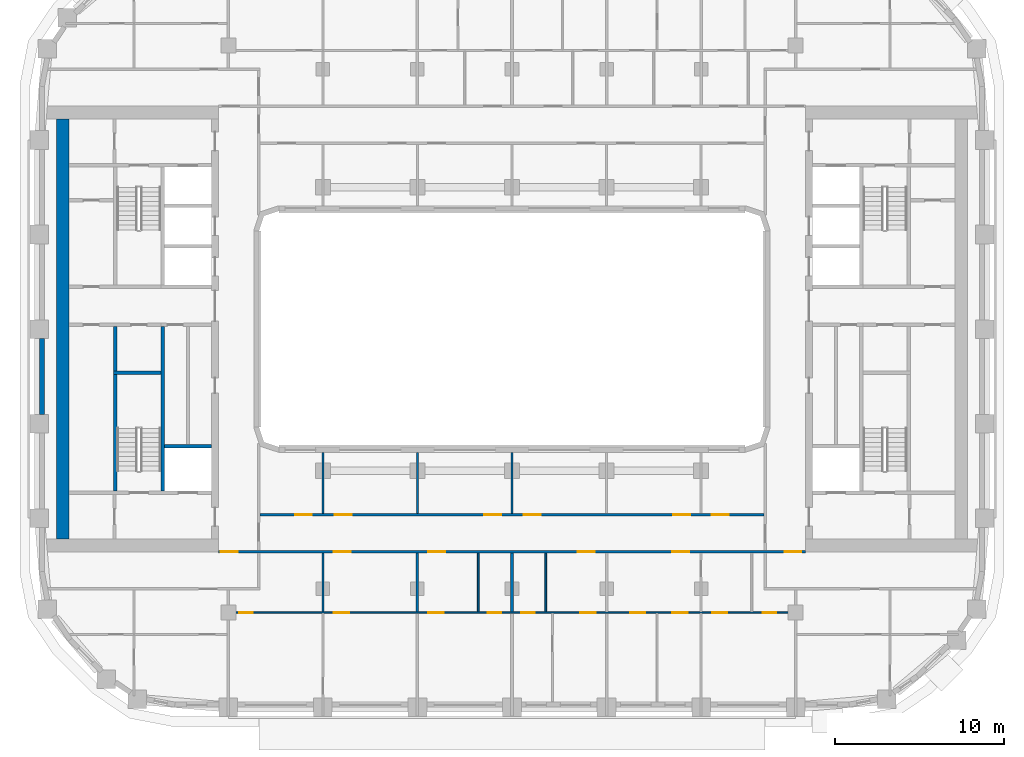
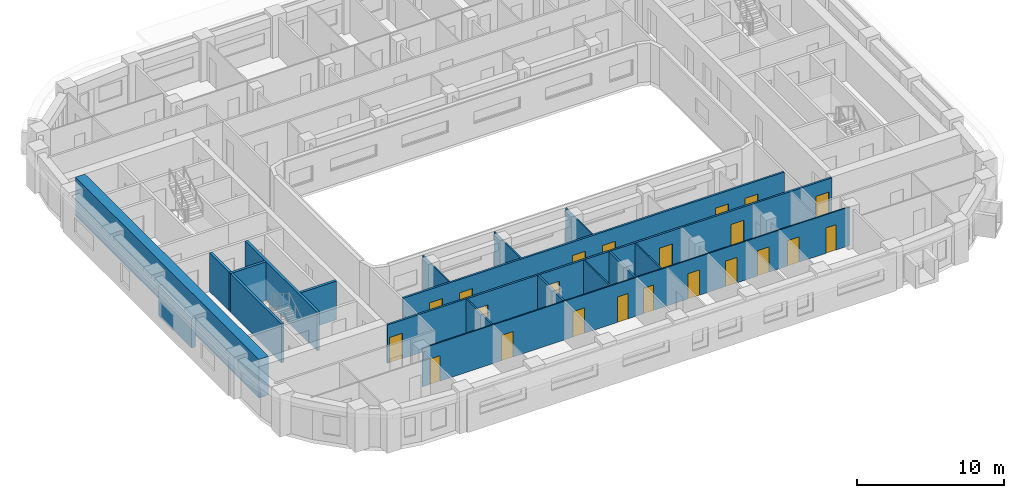
# One storey, part 3 of 22: 22 doors, 18 walls, 22 openings.
"""IFC4 building model written with IfcOpenShell, lengths in metres."""

import ifcopenshell
import ifcopenshell.guid

model = None  # the IFC model being written
_history = None  # IfcOwnerHistory: only IFC2X3 demands one
_inside = {}  # id of a spatial element -> (the spatial element, [elements in it])
_under = {}  # id of a project, library or spatial element -> (it, [spatial elements below it])
_declared = {}  # id of a project -> (the project, [libraries it declares])
_typed = {}  # id of a type object -> (the type object, [elements of that type])
_made_of = {}  # id of a material, layer set ... -> (it, [elements and type objects made of it])


def new_model(schema):
    """Start an empty IFC model of exactly this schema.

    Asked for "IFC4X3", IfcOpenShell would pick the latest addendum, in which some entities
    have other attributes; the version numbers below select the first issue.
    IFC2X3 requires an IfcOwnerHistory on every rooted entity: one is made here for all.
    """
    global model, _history
    if schema == "IFC4X3":
        model = ifcopenshell.file(schema_version=(4, 3, 0, 0))
    else:
        model = ifcopenshell.file(schema=schema)
    _inside.clear()
    _under.clear()
    _declared.clear()
    _typed.clear()
    _made_of.clear()
    _history = None
    if model.schema == "IFC2X3":
        org = make("IfcOrganization", Name="unknown")
        user = make(
            "IfcPersonAndOrganization",
            ThePerson=make("IfcPerson", FamilyName="unknown"),
            TheOrganization=org,
        )
        app = make(
            "IfcApplication",
            ApplicationDeveloper=org,
            Version="unknown",
            ApplicationFullName="unknown",
            ApplicationIdentifier="unknown",
        )
        _history = make(
            "IfcOwnerHistory",
            OwningUser=user,
            OwningApplication=app,
            ChangeAction="ADDED",
            CreationDate=0,
        )
    return model


def make(cls, **values):
    """One entity of the class cls with the attributes given. An attribute that is None is left unset."""
    return model.create_entity(
        cls, **{name: value for name, value in values.items() if value is not None}
    )


def rooted(cls, **values):
    """An entity with a GlobalId (a new one), such as an element, a storey or a relation."""
    return make(cls, GlobalId=ifcopenshell.guid.new(), OwnerHistory=_history, **values)


def si_unit(unit_type, name, prefix=None):
    """IfcSIUnit, for example si_unit("LENGTHUNIT", "METRE", prefix="MILLI")."""
    return make("IfcSIUnit", UnitType=unit_type, Prefix=prefix, Name=name)


def assignment(units):
    """IfcUnitAssignment: the units of a project."""
    return None if units is None else make("IfcUnitAssignment", Units=units)


def point(xyz):
    """IfcCartesianPoint."""
    return None if xyz is None else make("IfcCartesianPoint", Coordinates=xyz)


def direction(xyz):
    """IfcDirection."""
    return None if xyz is None else make("IfcDirection", DirectionRatios=xyz)


def frame(location, z_axis=None, x_axis=None):
    """IfcAxis2Placement3D, a coordinate frame: its origin and axes. An axis left out is left unset."""
    return make(
        "IfcAxis2Placement3D",
        Location=point(location),
        Axis=direction(z_axis),
        RefDirection=direction(x_axis),
    )


def frame_2d(location, x_axis=None):
    """IfcAxis2Placement2D, a coordinate frame in the plane: its origin and x axis."""
    return make(
        "IfcAxis2Placement2D", Location=point(location), RefDirection=direction(x_axis)
    )


def origin():
    """The frame at (0, 0, 0) with its axes left unset."""
    return frame((0.0, 0.0, 0.0))


def place(relative_to, where):
    """IfcLocalPlacement: puts the frame where relative to a parent placement (None: the world)."""
    return make(
        "IfcLocalPlacement", PlacementRelTo=relative_to, RelativePlacement=where
    )


def context(
    kind, dimensions, precision=None, world=None, true_north=None, identifier=None
):
    """IfcGeometricRepresentationContext, for example the 3D "Model" context."""
    return make(
        "IfcGeometricRepresentationContext",
        ContextIdentifier=identifier,
        ContextType=kind,
        CoordinateSpaceDimension=dimensions,
        Precision=precision,
        WorldCoordinateSystem=world,
        TrueNorth=true_north,
    )


def subcontext(parent, identifier, kind, view, scale=None):
    """IfcGeometricRepresentationSubContext, for example "Body" below "Model"."""
    return make(
        "IfcGeometricRepresentationSubContext",
        ContextIdentifier=identifier,
        ContextType=kind,
        ParentContext=parent,
        TargetScale=scale,
        TargetView=view,
    )


def project(units=None, contexts=None):
    """IfcProject with its units and contexts."""
    return rooted(
        "IfcProject",
        Name="project",
        RepresentationContexts=contexts,
        UnitsInContext=assignment(units),
    )


def spatial(cls, under=None, at=None, **own):
    """A site, building, storey or space (cls), placed at a placement, below another one or the project."""
    s = rooted(cls, ObjectPlacement=at, **own)
    if under is not None:
        _under.setdefault(under.id(), (under, []))[1].append(s)
    return s


def profile(cls, at=None, kind="AREA", **sizes):
    """A parametric profile (cls). Its sizes go by their IFC names, for example OverallWidth=200.0."""
    return make(cls, ProfileType=kind, Position=at, **sizes)


def rectangle(**sizes):
    """IfcRectangleProfileDef."""
    return profile("IfcRectangleProfileDef", **sizes)


def extrude(swept, where, along, depth):
    """IfcExtrudedAreaSolid: the profile swept, set in the frame where, extruded along a direction by depth."""
    return make(
        "IfcExtrudedAreaSolid",
        SweptArea=swept,
        Position=where,
        ExtrudedDirection=direction(along),
        Depth=depth,
    )


def shape(context_of_items, identifier, shape_type, items):
    """IfcShapeRepresentation: the items that make up one representation, for example the "Body"."""
    return make(
        "IfcShapeRepresentation",
        ContextOfItems=context_of_items,
        RepresentationIdentifier=identifier,
        RepresentationType=shape_type,
        Items=items,
    )


def material(Name=None, Category=None):
    """IfcMaterial."""
    return make("IfcMaterial", Name=Name, Category=Category)


def layer(
    of_material, thickness, ventilated=None, Name=None, Category=None, Priority=None
):
    """IfcMaterialLayer: one layer of a wall or slab, of a material (None: an air gap)."""
    return make(
        "IfcMaterialLayer",
        Material=of_material,
        LayerThickness=thickness,
        IsVentilated=ventilated,
        Name=Name,
        Category=Category,
        Priority=Priority,
    )


def layer_set(layers, Name=None):
    """IfcMaterialLayerSet."""
    return make("IfcMaterialLayerSet", MaterialLayers=layers, LayerSetName=Name)


def made_of(thing, what):
    """Note that an element or type object is made of a material, layer set ...; save() writes the relation."""
    if what is not None:
        _made_of.setdefault(what.id(), (what, []))[1].append(thing)
    return thing


def type_object(cls, material=None, **own):
    """A type object (cls), such as IfcWallType, which elements share."""
    return made_of(rooted(cls, **own), material)


def element(
    cls,
    number,
    at=None,
    inside=None,
    cuts=None,
    type_object=None,
    material=None,
    context=None,
    identifier="Body",
    shape_type=None,
    held_by="IfcProductDefinitionShape",
    body=None,
    shapes=None,
    **own,
):
    """One element of the class cls, such as IfcWall. Its Tag is "e" and its number.

    at: its placement. inside: the storey or other place that contains it. cuts: it is an
    opening in that element (IfcRelVoidsElement). A single representation is given by context,
    identifier, shape_type and body (its items); several are given by shapes. held_by: the class
    of the entity that holds the representations. save() writes the other relations.
    """
    e = rooted(cls, Tag="e%d" % number, ObjectPlacement=at, **own)
    if body is not None:
        shapes = [shape(context, identifier, shape_type, body)]
    if shapes is not None:
        e.Representation = make(held_by, Representations=shapes)
    if inside is not None:
        _inside.setdefault(inside.id(), (inside, []))[1].append(e)
    if cuts is not None:
        rooted(
            "IfcRelVoidsElement", RelatingBuildingElement=cuts, RelatedOpeningElement=e
        )
    if type_object is not None:
        _typed.setdefault(type_object.id(), (type_object, []))[1].append(e)
    return made_of(e, material)


def fill(opening, filler):
    """IfcRelFillsElement: the door or window that sits in an opening."""
    return rooted(
        "IfcRelFillsElement",
        RelatingOpeningElement=opening,
        RelatedBuildingElement=filler,
    )


def aggregate(whole, parts):
    """IfcRelAggregates: a whole, such as a stair, and the parts it consists of."""
    return rooted("IfcRelAggregates", RelatingObject=whole, RelatedObjects=parts)


def save(model, path):
    """Write the relations noted so far, then the file.

    IfcRelAggregates (storeys below a building ...), IfcRelContainedInSpatialStructure (elements
    in a storey), IfcRelDefinesByType, IfcRelAssociatesMaterial and IfcRelDeclares: one each for
    every whole, place, type object, material and project.
    """
    for whole, parts in _under.values():
        aggregate(whole, parts)
    for where, things in _inside.values():
        rooted(
            "IfcRelContainedInSpatialStructure",
            RelatedElements=things,
            RelatingStructure=where,
        )
    for kind, things in _typed.values():
        rooted("IfcRelDefinesByType", RelatedObjects=things, RelatingType=kind)
    for what, things in _made_of.values():
        rooted("IfcRelAssociatesMaterial", RelatedObjects=things, RelatingMaterial=what)
    for by, libraries in _declared.values():
        rooted("IfcRelDeclares", RelatingContext=by, RelatedDefinitions=libraries)
    model.write(path)


model = new_model("IFC4")

# Units and contexts
model_context = context("Model", 3, precision=1e-05, world=origin(), true_north=direction((0.0, 1.0)))
body_context = subcontext(model_context, "Body", "Model", "MODEL_VIEW")
ifc_project = project(units=[si_unit("LENGTHUNIT", "METRE"), si_unit("AREAUNIT", "SQUARE_METRE"), si_unit("VOLUMEUNIT", "CUBIC_METRE"), si_unit("PLANEANGLEUNIT", "RADIAN"), si_unit("MASSUNIT", "GRAM", prefix="KILO")], contexts=[model_context])

# Site, building, storey
site_placement = place(None, origin())
site = spatial("IfcSite", under=ifc_project, at=site_placement, CompositionType="ELEMENT")
building_placement = place(site_placement, origin())
building = spatial("IfcBuilding", under=site, at=building_placement, Name="Kiln Ring Residences", CompositionType="ELEMENT")
storey_placement = place(building_placement, frame((0.0, 0.0, 139.60009765625)))
storey = spatial("IfcBuildingStorey", under=building, at=storey_placement, Name="L35", CompositionType="ELEMENT", Elevation=139.60009765625)

# Walls
ifc_material_1 = material(Name="Gypsum board on steel studs", Category="steel")
ifc_layer_1 = layer(ifc_material_1, 0.199951171875)
ifc_layer_set_1 = layer_set([ifc_layer_1], Name="CORE-PARTITION-200")
wall_type_1 = type_object("IfcWallType", Name="CORE-PARTITION-200", PredefinedType="PARTITIONING", material=ifc_layer_set_1)
wall_1_placement = place(storey_placement, frame((-23.5, -2.5, 0.0), z_axis=(0.0, 0.0, 1.0), x_axis=(0.0, 1.0, 0.0)))
element("IfcWall", 1, at=wall_1_placement, inside=storey, type_object=wall_type_1, Name="Core partition west L35 1", PredefinedType="PARTITIONING", context=body_context, shape_type="SweptSolid", body=[
    extrude(rectangle(XDim=2.64990234375, YDim=0.199951171875, at=frame_2d((1.324951171875, 0.0))), origin(), (0.0, 0.0, 1.0), 3.199951171875),
])
ifc_material_2 = material(Name="Gypsum shaft wall system")
ifc_layer_2 = layer(ifc_material_2, 0.199951171875)
ifc_layer_set_2 = layer_set([ifc_layer_2], Name="CORE-SHAFT-WALL-200")
wall_type_2 = type_object("IfcWallType", Name="CORE-SHAFT-WALL-200", PredefinedType="PARTITIONING", material=ifc_layer_set_2)
wall_2_placement = place(storey_placement, frame((-17.800048828125, -6.949951171875, 0.0), z_axis=(0.0, 0.0, 1.0), x_axis=(-1.0, 0.0, 0.0)))
element("IfcWall", 2, at=wall_2_placement, inside=storey, type_object=wall_type_2, Name="Core partition west L35 7", PredefinedType="PARTITIONING", context=body_context, shape_type="SweptSolid", body=[
    extrude(rectangle(XDim=2.800048828125, YDim=0.199951171875, at=frame_2d((1.39990234375, 0.0))), origin(), (0.0, 0.0, 1.0), 3.199951171875),
])
ifc_material_3 = material(Name="Concrete C40/50", Category="concrete")
ifc_layer_3 = layer(ifc_material_3, 0.199951171875)
ifc_layer_set_3 = layer_set([ifc_layer_3], Name="CORE-WALL-RC200")
wall_type_3 = type_object("IfcWallType", Name="CORE-WALL-RC200", PredefinedType="SHEAR", material=ifc_layer_set_3)
wall_3_placement = place(storey_placement, frame((-20.699951171875, -9.60009765625, 0.0), z_axis=(0.0, 0.0, 1.0), x_axis=(0.0, 1.0, 0.0)))
element("IfcWall", 3, at=wall_3_placement, inside=storey, type_object=wall_type_3, Name="Core wall west L35 2", PredefinedType="SHEAR", context=body_context, shape_type="SweptSolid", body=[
    extrude(rectangle(XDim=9.75, YDim=0.199951171875, at=frame_2d((4.875, 0.0))), origin(), (0.0, 0.0, 1.0), 3.199951171875),
])
wall_4_placement = place(storey_placement, frame((-23.5, -9.60009765625, 0.0), z_axis=(0.0, 0.0, 1.0), x_axis=(0.0, 1.0, 0.0)))
element("IfcWall", 4, at=wall_4_placement, inside=storey, type_object=wall_type_3, Name="Core wall west L35 11", PredefinedType="SHEAR", context=body_context, shape_type="SweptSolid", body=[
    extrude(rectangle(XDim=6.900146484375, YDim=0.199951171875, at=frame_2d((3.4501953125, 0.0))), origin(), (0.0, 0.0, 1.0), 3.199951171875),
])
wall_5_placement = place(storey_placement, frame((-20.800048828125, -2.60009765625, 0.0), z_axis=(0.0, 0.0, 1.0), x_axis=(-1.0, 0.0, 0.0)))
element("IfcWall", 5, at=wall_5_placement, inside=storey, type_object=wall_type_3, Name="Core wall west L35 12", PredefinedType="SHEAR", context=body_context, shape_type="SweptSolid", body=[
    extrude(rectangle(XDim=2.800048828125, YDim=0.199951171875, at=frame_2d((1.39990234375, 0.0))), origin(), (0.0, 0.0, 1.0), 3.199951171875),
])
ifc_material_4 = material(Name="Concrete C60/75", Category="concrete")
ifc_layer_4 = layer(ifc_material_4, 0.75)
ifc_layer_set_4 = layer_set([ifc_layer_4], Name="CORE-WALL-RC750")
wall_type_4 = type_object("IfcWallType", Name="CORE-WALL-RC750", PredefinedType="SHEAR", material=ifc_layer_set_4)
wall_6_placement = place(storey_placement, frame((-26.625, -12.449951171875, 0.0), z_axis=(0.0, 0.0, 1.0), x_axis=(0.0, 1.0, 0.0)))
element("IfcWall", 6, at=wall_6_placement, inside=storey, type_object=wall_type_4, Name="Core wall west L35 7", PredefinedType="SHEAR", context=body_context, shape_type="SweptSolid", body=[
    extrude(rectangle(XDim=24.89990234375, YDim=0.75, at=frame_2d((12.449951171875, 0.0))), origin(), (0.0, 0.0, 1.0), 3.199951171875),
])
ifc_material_5 = material(Name="Brick masonry, dark clay brick", Category="masonry")
ifc_layer_5 = layer(ifc_material_5, 0.300048828125)
ifc_layer_set_5 = layer_set([ifc_layer_5], Name="EW-300 BRICK WALL")
wall_type_5 = type_object("IfcWallType", Name="EW-300 BRICK WALL", PredefinedType="SOLIDWALL", material=ifc_layer_set_5)
wall_7_placement = place(storey_placement, frame((-27.85009765625, -0.550048828125, 0.0), z_axis=(0.0, 0.0, 1.0), x_axis=(0.0, -1.0, 0.0)))
element("IfcWall", 7, at=wall_7_placement, inside=storey, type_object=wall_type_5, Name="Facade wall L35 44", PredefinedType="SOLIDWALL", context=body_context, shape_type="SweptSolid", body=[
    extrude(rectangle(XDim=4.5, YDim=0.300048828125, at=frame_2d((2.25, 0.0))), origin(), (0.0, 0.0, 1.0), 2.449951171875),
])

# Wall, openings, doors
ifc_material_6 = material(Name="Gypsum board on steel studs", Category="steel")
ifc_layer_6 = layer(ifc_material_6, 0.10009765625)
ifc_layer_set_6 = layer_set([ifc_layer_6], Name="PARTITION-100")
wall_type_6 = type_object("IfcWallType", Name="PARTITION-100", PredefinedType="PARTITIONING", material=ifc_layer_set_6)
wall_8_placement = place(storey_placement, frame((-16.72509765625, -16.800048828125, 0.0), z_axis=(0.0, 0.0, 1.0), x_axis=(1.0, 0.0, 0.0)))
wall_8 = element("IfcWall", 8, at=wall_8_placement, inside=storey, type_object=wall_type_6, Name="Partition 002", PredefinedType="PARTITIONING", context=body_context, shape_type="SweptSolid", body=[
    extrude(rectangle(XDim=33.4501953125, YDim=0.10009765625, at=frame_2d((16.72509765625, 0.0))), origin(), (0.0, 0.0, 1.0), 3.199951171875),
])
opening_1_placement = place(wall_8_placement, frame((0.574951171875, 0.0, 0.0)))
opening_1 = element("IfcOpeningElement", 9, at=opening_1_placement, cuts=wall_8, Name="Opening L35-D050", PredefinedType="OPENING", context=body_context, shape_type="SweptSolid", body=[
    extrude(rectangle(XDim=0.800048828125, YDim=2.10009765625, at=frame_2d((0.39990234375, 1.050048828125))), frame((0.0, 0.06005859375, 0.0), z_axis=(0.0, -1.0, 0.0), x_axis=(1.0, 0.0, 0.0)), (0.0, 0.0, 1.0), 0.1201171875),
])
opening_2_placement = place(wall_8_placement, frame((6.175048828125, 0.0, 0.0)))
opening_2 = element("IfcOpeningElement", 10, at=opening_2_placement, cuts=wall_8, Name="Opening L35-D051", PredefinedType="OPENING", context=body_context, shape_type="SweptSolid", body=[
    extrude(rectangle(XDim=0.89990234375, YDim=2.10009765625, at=frame_2d((0.449951171875, 1.050048828125))), frame((0.0, 0.06005859375, 0.0), z_axis=(0.0, -1.0, 0.0), x_axis=(1.0, 0.0, 0.0)), (0.0, 0.0, 1.0), 0.1201171875),
])
opening_3_placement = place(wall_8_placement, frame((15.27490234375, 0.0, 0.0)))
opening_3 = element("IfcOpeningElement", 11, at=opening_3_placement, cuts=wall_8, Name="Opening L35-D054", PredefinedType="OPENING", context=body_context, shape_type="SweptSolid", body=[
    extrude(rectangle(XDim=0.800048828125, YDim=2.10009765625, at=frame_2d((0.39990234375, 1.050048828125))), frame((0.0, 0.06005859375, 0.0), z_axis=(0.0, -1.0, 0.0), x_axis=(1.0, 0.0, 0.0)), (0.0, 0.0, 1.0), 0.1201171875),
])
opening_4_placement = place(wall_8_placement, frame((11.77490234375, 0.0, 0.0)))
opening_4 = element("IfcOpeningElement", 12, at=opening_4_placement, cuts=wall_8, Name="Opening L35-D055", PredefinedType="OPENING", context=body_context, shape_type="SweptSolid", body=[
    extrude(rectangle(XDim=0.89990234375, YDim=2.10009765625, at=frame_2d((0.449951171875, 1.050048828125))), frame((0.0, 0.06005859375, 0.0), z_axis=(0.0, -1.0, 0.0), x_axis=(1.0, 0.0, 0.0)), (0.0, 0.0, 1.0), 0.1201171875),
])
opening_5_placement = place(wall_8_placement, frame((17.27490234375, 0.0, 0.0)))
opening_5 = element("IfcOpeningElement", 13, at=opening_5_placement, cuts=wall_8, Name="Opening L35-D057", PredefinedType="OPENING", context=body_context, shape_type="SweptSolid", body=[
    extrude(rectangle(XDim=0.800048828125, YDim=2.10009765625, at=frame_2d((0.39990234375, 1.050048828125))), frame((0.0, 0.06005859375, 0.0), z_axis=(0.0, -1.0, 0.0), x_axis=(1.0, 0.0, 0.0)), (0.0, 0.0, 1.0), 0.1201171875),
])
opening_6_placement = place(wall_8_placement, frame((20.77490234375, 0.0, 0.0)))
opening_6 = element("IfcOpeningElement", 14, at=opening_6_placement, cuts=wall_8, Name="Opening L35-D058", PredefinedType="OPENING", context=body_context, shape_type="SweptSolid", body=[
    extrude(rectangle(XDim=0.89990234375, YDim=2.10009765625, at=frame_2d((0.449951171875, 1.050048828125))), frame((0.0, 0.06005859375, 0.0), z_axis=(0.0, -1.0, 0.0), x_axis=(1.0, 0.0, 0.0)), (0.0, 0.0, 1.0), 0.1201171875),
])
opening_7_placement = place(wall_8_placement, frame((31.574951171875, 0.0, 0.0)))
opening_7 = element("IfcOpeningElement", 15, at=opening_7_placement, cuts=wall_8, Name="Opening L35-D062", PredefinedType="OPENING", context=body_context, shape_type="SweptSolid", body=[
    extrude(rectangle(XDim=0.800048828125, YDim=2.10009765625, at=frame_2d((0.39990234375, 1.050048828125))), frame((0.0, 0.06005859375, 0.0), z_axis=(0.0, -1.0, 0.0), x_axis=(1.0, 0.0, 0.0)), (0.0, 0.0, 1.0), 0.1201171875),
])
opening_8_placement = place(wall_8_placement, frame((28.574951171875, 0.0, 0.0)))
opening_8 = element("IfcOpeningElement", 16, at=opening_8_placement, cuts=wall_8, Name="Opening L35-D063", PredefinedType="OPENING", context=body_context, shape_type="SweptSolid", body=[
    extrude(rectangle(XDim=0.89990234375, YDim=2.10009765625, at=frame_2d((0.449951171875, 1.050048828125))), frame((0.0, 0.06005859375, 0.0), z_axis=(0.0, -1.0, 0.0), x_axis=(1.0, 0.0, 0.0)), (0.0, 0.0, 1.0), 0.1201171875),
])
opening_9_placement = place(wall_8_placement, frame((23.72509765625, 0.0, 0.0)))
opening_9 = element("IfcOpeningElement", 17, at=opening_9_placement, cuts=wall_8, Name="Opening L35-D064", PredefinedType="OPENING", context=body_context, shape_type="SweptSolid", body=[
    extrude(rectangle(XDim=0.89990234375, YDim=2.10009765625, at=frame_2d((0.449951171875, 1.050048828125))), frame((0.0, 0.06005859375, 0.0), z_axis=(0.0, -1.0, 0.0), x_axis=(1.0, 0.0, 0.0)), (0.0, 0.0, 1.0), 0.1201171875),
])
opening_10_placement = place(wall_8_placement, frame((26.22509765625, 0.0, 0.0)))
opening_10 = element("IfcOpeningElement", 18, at=opening_10_placement, cuts=wall_8, Name="Opening L35-D065", PredefinedType="OPENING", context=body_context, shape_type="SweptSolid", body=[
    extrude(rectangle(XDim=0.89990234375, YDim=2.10009765625, at=frame_2d((0.449951171875, 1.050048828125))), frame((0.0, 0.06005859375, 0.0), z_axis=(0.0, -1.0, 0.0), x_axis=(1.0, 0.0, 0.0)), (0.0, 0.0, 1.0), 0.1201171875),
])
ifc_material_7 = material(Name="Timber door leaf", Category="wood")
door_type_1 = type_object("IfcDoorType", Name="FLAT-DOOR-800-PL", OperationType="SINGLE_SWING_LEFT", PredefinedType="DOOR", material=ifc_material_7)
door_1_placement = place(opening_1_placement, origin())
door_1 = element("IfcDoor", 19, at=door_1_placement, inside=storey, type_object=door_type_1, Name="Door L35-D050", OperationType="SINGLE_SWING_RIGHT", OverallHeight=2.10009765625, OverallWidth=0.800048828125, PredefinedType="DOOR", context=body_context, shape_type="SweptSolid", body=[
    extrude(rectangle(XDim=0.800048828125, YDim=2.10009765625, at=frame_2d((0.39990234375, 1.050048828125))), frame((0.0, 0.02490234375, 0.0), z_axis=(0.0, -1.0, 0.0), x_axis=(1.0, 0.0, 0.0)), (0.0, 0.0, 1.0), 0.050048828125),
])
fill(opening_1, door_1)
door_2_placement = place(opening_3_placement, origin())
door_2 = element("IfcDoor", 20, at=door_2_placement, inside=storey, type_object=door_type_1, Name="Door L35-D054", OperationType="SINGLE_SWING_RIGHT", OverallHeight=2.10009765625, OverallWidth=0.800048828125, PredefinedType="DOOR", context=body_context, shape_type="SweptSolid", body=[
    extrude(rectangle(XDim=0.800048828125, YDim=2.10009765625, at=frame_2d((0.39990234375, 1.050048828125))), frame((0.0, 0.02490234375, 0.0), z_axis=(0.0, -1.0, 0.0), x_axis=(1.0, 0.0, 0.0)), (0.0, 0.0, 1.0), 0.050048828125),
])
fill(opening_3, door_2)
door_3_placement = place(opening_5_placement, origin())
door_3 = element("IfcDoor", 21, at=door_3_placement, inside=storey, type_object=door_type_1, Name="Door L35-D057", OperationType="SINGLE_SWING_LEFT", OverallHeight=2.10009765625, OverallWidth=0.800048828125, PredefinedType="DOOR", context=body_context, shape_type="SweptSolid", body=[
    extrude(rectangle(XDim=0.800048828125, YDim=2.10009765625, at=frame_2d((0.39990234375, 1.050048828125))), frame((0.0, 0.02490234375, 0.0), z_axis=(0.0, -1.0, 0.0), x_axis=(1.0, 0.0, 0.0)), (0.0, 0.0, 1.0), 0.050048828125),
])
fill(opening_5, door_3)
door_4_placement = place(opening_7_placement, origin())
door_4 = element("IfcDoor", 22, at=door_4_placement, inside=storey, type_object=door_type_1, Name="Door L35-D062", OperationType="SINGLE_SWING_RIGHT", OverallHeight=2.10009765625, OverallWidth=0.800048828125, PredefinedType="DOOR", context=body_context, shape_type="SweptSolid", body=[
    extrude(rectangle(XDim=0.800048828125, YDim=2.10009765625, at=frame_2d((0.39990234375, 1.050048828125))), frame((0.0, 0.02490234375, 0.0), z_axis=(0.0, -1.0, 0.0), x_axis=(1.0, 0.0, 0.0)), (0.0, 0.0, 1.0), 0.050048828125),
])
fill(opening_7, door_4)
ifc_material_8 = material(Name="Timber door leaf", Category="wood")
door_type_2 = type_object("IfcDoorType", Name="FLAT-DOOR-900-PL", OperationType="SINGLE_SWING_LEFT", PredefinedType="DOOR", material=ifc_material_8)
door_5_placement = place(opening_2_placement, origin())
door_5 = element("IfcDoor", 23, at=door_5_placement, inside=storey, type_object=door_type_2, Name="Door L35-D051", OperationType="SINGLE_SWING_LEFT", OverallHeight=2.10009765625, OverallWidth=0.89990234375, PredefinedType="DOOR", context=body_context, shape_type="SweptSolid", body=[
    extrude(rectangle(XDim=0.89990234375, YDim=2.10009765625, at=frame_2d((0.449951171875, 1.050048828125))), frame((0.0, 0.02490234375, 0.0), z_axis=(0.0, -1.0, 0.0), x_axis=(1.0, 0.0, 0.0)), (0.0, 0.0, 1.0), 0.050048828125),
])
fill(opening_2, door_5)
door_6_placement = place(opening_4_placement, origin())
door_6 = element("IfcDoor", 24, at=door_6_placement, inside=storey, type_object=door_type_2, Name="Door L35-D055", OperationType="SINGLE_SWING_LEFT", OverallHeight=2.10009765625, OverallWidth=0.89990234375, PredefinedType="DOOR", context=body_context, shape_type="SweptSolid", body=[
    extrude(rectangle(XDim=0.89990234375, YDim=2.10009765625, at=frame_2d((0.449951171875, 1.050048828125))), frame((0.0, 0.02490234375, 0.0), z_axis=(0.0, -1.0, 0.0), x_axis=(1.0, 0.0, 0.0)), (0.0, 0.0, 1.0), 0.050048828125),
])
fill(opening_4, door_6)
door_7_placement = place(opening_6_placement, origin())
door_7 = element("IfcDoor", 25, at=door_7_placement, inside=storey, type_object=door_type_2, Name="Door L35-D058", OperationType="SINGLE_SWING_RIGHT", OverallHeight=2.10009765625, OverallWidth=0.89990234375, PredefinedType="DOOR", context=body_context, shape_type="SweptSolid", body=[
    extrude(rectangle(XDim=0.89990234375, YDim=2.10009765625, at=frame_2d((0.449951171875, 1.050048828125))), frame((0.0, 0.02490234375, 0.0), z_axis=(0.0, -1.0, 0.0), x_axis=(1.0, 0.0, 0.0)), (0.0, 0.0, 1.0), 0.050048828125),
])
fill(opening_6, door_7)
door_8_placement = place(opening_8_placement, origin())
door_8 = element("IfcDoor", 26, at=door_8_placement, inside=storey, type_object=door_type_2, Name="Door L35-D063", OperationType="SINGLE_SWING_LEFT", OverallHeight=2.10009765625, OverallWidth=0.89990234375, PredefinedType="DOOR", context=body_context, shape_type="SweptSolid", body=[
    extrude(rectangle(XDim=0.89990234375, YDim=2.10009765625, at=frame_2d((0.449951171875, 1.050048828125))), frame((0.0, 0.02490234375, 0.0), z_axis=(0.0, -1.0, 0.0), x_axis=(1.0, 0.0, 0.0)), (0.0, 0.0, 1.0), 0.050048828125),
])
fill(opening_8, door_8)
door_9_placement = place(opening_9_placement, origin())
door_9 = element("IfcDoor", 27, at=door_9_placement, inside=storey, type_object=door_type_2, Name="Door L35-D064", OperationType="SINGLE_SWING_RIGHT", OverallHeight=2.10009765625, OverallWidth=0.89990234375, PredefinedType="DOOR", context=body_context, shape_type="SweptSolid", body=[
    extrude(rectangle(XDim=0.89990234375, YDim=2.10009765625, at=frame_2d((0.449951171875, 1.050048828125))), frame((0.0, 0.02490234375, 0.0), z_axis=(0.0, -1.0, 0.0), x_axis=(1.0, 0.0, 0.0)), (0.0, 0.0, 1.0), 0.050048828125),
])
fill(opening_9, door_9)
door_10_placement = place(opening_10_placement, origin())
door_10 = element("IfcDoor", 28, at=door_10_placement, inside=storey, type_object=door_type_2, Name="Door L35-D065", OperationType="SINGLE_SWING_LEFT", OverallHeight=2.10009765625, OverallWidth=0.89990234375, PredefinedType="DOOR", context=body_context, shape_type="SweptSolid", body=[
    extrude(rectangle(XDim=0.89990234375, YDim=2.10009765625, at=frame_2d((0.449951171875, 1.050048828125))), frame((0.0, 0.02490234375, 0.0), z_axis=(0.0, -1.0, 0.0), x_axis=(1.0, 0.0, 0.0)), (0.0, 0.0, 1.0), 0.050048828125),
])
fill(opening_10, door_10)

# Walls
wall_9_placement = place(storey_placement, frame((-11.199951171875, -16.75, 0.0), z_axis=(0.0, 0.0, 1.0), x_axis=(0.0, 1.0, 0.0)))
element("IfcWall", 29, at=wall_9_placement, inside=storey, type_object=wall_type_6, Name="Partition 025", PredefinedType="PARTITIONING", context=body_context, shape_type="SweptSolid", body=[
    extrude(rectangle(XDim=3.47509765625, YDim=0.10009765625, at=frame_2d((1.737548828125, 0.0))), origin(), (0.0, 0.0, 1.0), 3.199951171875),
])
for number, where, z_axis, x_axis, name in (
    (30, (-11.199951171875, -10.925048828125, 0.0), (0.0, 0.0, 1.0), (0.0, 1.0, 0.0), "Partition 026"),
    (31, (-5.60009765625, -10.925048828125, 0.0), (0.0, 0.0, 1.0), (0.0, 1.0, 0.0), "Partition 030"),
):
    element("IfcWall", number, at=place(storey_placement, frame(where, z_axis=z_axis, x_axis=x_axis)), inside=storey, type_object=wall_type_6, Name=name, PredefinedType="PARTITIONING", context=body_context, shape_type="SweptSolid", body=[
        extrude(rectangle(XDim=3.60498046875, YDim=0.10009765625, at=frame_2d((1.802490234375, 0.0))), origin(), (0.0, 0.0, 1.0), 3.199951171875),
    ])
wall_10_placement = place(storey_placement, frame((-2.0, -16.75, 0.0), z_axis=(0.0, 0.0, 1.0), x_axis=(0.0, 1.0, 0.0)))
element("IfcWall", 32, at=wall_10_placement, inside=storey, type_object=wall_type_6, Name="Partition 038", PredefinedType="PARTITIONING", context=body_context, shape_type="SweptSolid", body=[
    extrude(rectangle(XDim=3.47509765625, YDim=0.10009765625, at=frame_2d((1.737548828125, 0.0))), origin(), (0.0, 0.0, 1.0), 3.199951171875),
])
wall_11_placement = place(storey_placement, frame((0.0, -10.925048828125, 0.0), z_axis=(0.0, 0.0, 1.0), x_axis=(0.0, 1.0, 0.0)))
element("IfcWall", 33, at=wall_11_placement, inside=storey, type_object=wall_type_6, Name="Partition 039", PredefinedType="PARTITIONING", context=body_context, shape_type="SweptSolid", body=[
    extrude(rectangle(XDim=3.60498046875, YDim=0.10009765625, at=frame_2d((1.802490234375, 0.0))), origin(), (0.0, 0.0, 1.0), 3.199951171875),
])
wall_12_placement = place(storey_placement, frame((2.0, -16.75, 0.0), z_axis=(0.0, 0.0, 1.0), x_axis=(0.0, 1.0, 0.0)))
element("IfcWall", 34, at=wall_12_placement, inside=storey, type_object=wall_type_6, Name="Partition 045", PredefinedType="PARTITIONING", context=body_context, shape_type="SweptSolid", body=[
    extrude(rectangle(XDim=3.47509765625, YDim=0.10009765625, at=frame_2d((1.737548828125, 0.0))), origin(), (0.0, 0.0, 1.0), 3.199951171875),
])

# Wall, openings, doors
ifc_material_9 = material(Name="Brick masonry partition", Category="masonry")
ifc_layer_7 = layer(ifc_material_9, 0.14990234375)
ifc_layer_set_7 = layer_set([ifc_layer_7], Name="PARTITION-150-ei60")
wall_type_7 = type_object("IfcWallType", Name="PARTITION-150-ei60", PredefinedType="PARTITIONING", material=ifc_layer_set_7)
wall_13_placement = place(storey_placement, frame((-17.39990234375, -13.199951171875, 0.0), z_axis=(0.0, 0.0, 1.0), x_axis=(1.0, 0.0, 0.0)))
wall_13 = element("IfcWall", 35, at=wall_13_placement, inside=storey, type_object=wall_type_7, Name="Partition 005", PredefinedType="PARTITIONING", context=body_context, shape_type="SweptSolid", body=[
    extrude(rectangle(XDim=34.7998046875, YDim=0.14990234375, at=frame_2d((17.39990234375, 0.0))), origin(), (0.0, 0.0, 1.0), 3.199951171875),
])
opening_11_placement = place(wall_13_placement, frame((0.14990234375, 0.0, 0.0)))
opening_11 = element("IfcOpeningElement", 36, at=opening_11_placement, cuts=wall_13, Name="Opening L35-D007", PredefinedType="OPENING", context=body_context, shape_type="SweptSolid", body=[
    extrude(rectangle(XDim=1.0, YDim=2.10009765625, at=frame_2d((0.5, 1.050048828125))), frame((0.0, 0.0849609375, 0.0), z_axis=(0.0, -1.0, 0.0), x_axis=(1.0, 0.0, 0.0)), (0.0, 0.0, 1.0), 0.169921875),
])
opening_12_placement = place(wall_13_placement, frame((33.550048828125, 0.0, 0.0)))
opening_12 = element("IfcOpeningElement", 37, at=opening_12_placement, cuts=wall_13, Name="Opening L35-D008", PredefinedType="OPENING", context=body_context, shape_type="SweptSolid", body=[
    extrude(rectangle(XDim=1.0, YDim=2.10009765625, at=frame_2d((0.5, 1.050048828125))), frame((0.0, 0.0849609375, 0.0), z_axis=(0.0, -1.0, 0.0), x_axis=(1.0, 0.0, 0.0)), (0.0, 0.0, 1.0), 0.169921875),
])
opening_13_placement = place(wall_13_placement, frame((6.85009765625, 0.0, 0.0)))
opening_13 = element("IfcOpeningElement", 38, at=opening_13_placement, cuts=wall_13, Name="Opening L35-D049", PredefinedType="OPENING", context=body_context, shape_type="SweptSolid", body=[
    extrude(rectangle(XDim=1.0, YDim=2.10009765625, at=frame_2d((0.5, 1.050048828125))), frame((0.0, 0.0849609375, 0.0), z_axis=(0.0, -1.0, 0.0), x_axis=(1.0, 0.0, 0.0)), (0.0, 0.0, 1.0), 0.169921875),
])
opening_14_placement = place(wall_13_placement, frame((12.449951171875, 0.0, 0.0)))
opening_14 = element("IfcOpeningElement", 39, at=opening_14_placement, cuts=wall_13, Name="Opening L35-D053", PredefinedType="OPENING", context=body_context, shape_type="SweptSolid", body=[
    extrude(rectangle(XDim=1.0, YDim=2.10009765625, at=frame_2d((0.5, 1.050048828125))), frame((0.0, 0.0849609375, 0.0), z_axis=(0.0, -1.0, 0.0), x_axis=(1.0, 0.0, 0.0)), (0.0, 0.0, 1.0), 0.169921875),
])
opening_15_placement = place(wall_13_placement, frame((21.300048828125, 0.0, 0.0)))
opening_15 = element("IfcOpeningElement", 40, at=opening_15_placement, cuts=wall_13, Name="Opening L35-D056", PredefinedType="OPENING", context=body_context, shape_type="SweptSolid", body=[
    extrude(rectangle(XDim=1.0, YDim=2.10009765625, at=frame_2d((0.5, 1.050048828125))), frame((0.0, 0.0849609375, 0.0), z_axis=(0.0, -1.0, 0.0), x_axis=(1.0, 0.0, 0.0)), (0.0, 0.0, 1.0), 0.169921875),
])
opening_16_placement = place(wall_13_placement, frame((26.89990234375, 0.0, 0.0)))
opening_16 = element("IfcOpeningElement", 41, at=opening_16_placement, cuts=wall_13, Name="Opening L35-D060", PredefinedType="OPENING", context=body_context, shape_type="SweptSolid", body=[
    extrude(rectangle(XDim=1.0, YDim=2.10009765625, at=frame_2d((0.5, 1.050048828125))), frame((0.0, 0.0849609375, 0.0), z_axis=(0.0, -1.0, 0.0), x_axis=(1.0, 0.0, 0.0)), (0.0, 0.0, 1.0), 0.169921875),
])
ifc_material_10 = material(Name="Steel faced fire door leaf", Category="steel")
door_type_3 = type_object("IfcDoorType", Name="FLAT-DOOR-1000-FR", OperationType="SINGLE_SWING_LEFT", PredefinedType="DOOR", material=ifc_material_10)
door_11_placement = place(opening_11_placement, origin())
door_11 = element("IfcDoor", 42, at=door_11_placement, inside=storey, type_object=door_type_3, Name="Door L35-D007", OperationType="SINGLE_SWING_RIGHT", OverallHeight=2.10009765625, OverallWidth=1.0, PredefinedType="DOOR", context=body_context, shape_type="SweptSolid", body=[
    extrude(rectangle(XDim=1.0, YDim=2.10009765625, at=frame_2d((0.5, 1.050048828125))), frame((0.0, 0.02490234375, 0.0), z_axis=(0.0, -1.0, 0.0), x_axis=(1.0, 0.0, 0.0)), (0.0, 0.0, 1.0), 0.050048828125),
])
fill(opening_11, door_11)
door_12_placement = place(opening_12_placement, origin())
door_12 = element("IfcDoor", 43, at=door_12_placement, inside=storey, type_object=door_type_3, Name="Door L35-D008", OperationType="SINGLE_SWING_LEFT", OverallHeight=2.10009765625, OverallWidth=1.0, PredefinedType="DOOR", context=body_context, shape_type="SweptSolid", body=[
    extrude(rectangle(XDim=1.0, YDim=2.10009765625, at=frame_2d((0.5, 1.050048828125))), frame((0.0, 0.02490234375, 0.0), z_axis=(0.0, -1.0, 0.0), x_axis=(1.0, 0.0, 0.0)), (0.0, 0.0, 1.0), 0.050048828125),
])
fill(opening_12, door_12)
door_13_placement = place(opening_13_placement, origin())
door_13 = element("IfcDoor", 44, at=door_13_placement, inside=storey, type_object=door_type_3, Name="Door L35-D049", OperationType="SINGLE_SWING_LEFT", OverallHeight=2.10009765625, OverallWidth=1.0, PredefinedType="DOOR", context=body_context, shape_type="SweptSolid", body=[
    extrude(rectangle(XDim=1.0, YDim=2.10009765625, at=frame_2d((0.5, 1.050048828125))), frame((0.0, 0.02490234375, 0.0), z_axis=(0.0, -1.0, 0.0), x_axis=(1.0, 0.0, 0.0)), (0.0, 0.0, 1.0), 0.050048828125),
])
fill(opening_13, door_13)
door_14_placement = place(opening_14_placement, origin())
door_14 = element("IfcDoor", 45, at=door_14_placement, inside=storey, type_object=door_type_3, Name="Door L35-D053", OperationType="SINGLE_SWING_LEFT", OverallHeight=2.10009765625, OverallWidth=1.0, PredefinedType="DOOR", context=body_context, shape_type="SweptSolid", body=[
    extrude(rectangle(XDim=1.0, YDim=2.10009765625, at=frame_2d((0.5, 1.050048828125))), frame((0.0, 0.02490234375, 0.0), z_axis=(0.0, -1.0, 0.0), x_axis=(1.0, 0.0, 0.0)), (0.0, 0.0, 1.0), 0.050048828125),
])
fill(opening_14, door_14)
door_15_placement = place(opening_15_placement, origin())
door_15 = element("IfcDoor", 46, at=door_15_placement, inside=storey, type_object=door_type_3, Name="Door L35-D056", OperationType="SINGLE_SWING_RIGHT", OverallHeight=2.10009765625, OverallWidth=1.0, PredefinedType="DOOR", context=body_context, shape_type="SweptSolid", body=[
    extrude(rectangle(XDim=1.0, YDim=2.10009765625, at=frame_2d((0.5, 1.050048828125))), frame((0.0, 0.02490234375, 0.0), z_axis=(0.0, -1.0, 0.0), x_axis=(1.0, 0.0, 0.0)), (0.0, 0.0, 1.0), 0.050048828125),
])
fill(opening_15, door_15)
door_16_placement = place(opening_16_placement, origin())
door_16 = element("IfcDoor", 47, at=door_16_placement, inside=storey, type_object=door_type_3, Name="Door L35-D060", OperationType="SINGLE_SWING_RIGHT", OverallHeight=2.10009765625, OverallWidth=1.0, PredefinedType="DOOR", context=body_context, shape_type="SweptSolid", body=[
    extrude(rectangle(XDim=1.0, YDim=2.10009765625, at=frame_2d((0.5, 1.050048828125))), frame((0.0, 0.02490234375, 0.0), z_axis=(0.0, -1.0, 0.0), x_axis=(1.0, 0.0, 0.0)), (0.0, 0.0, 1.0), 0.050048828125),
])
fill(opening_16, door_16)

wall_14_placement = place(storey_placement, frame((-14.925048828125, -11.0, 0.0), z_axis=(0.0, 0.0, 1.0), x_axis=(1.0, 0.0, 0.0)))
wall_14 = element("IfcWall", 48, at=wall_14_placement, inside=storey, type_object=wall_type_7, Name="Partition 006", PredefinedType="PARTITIONING", context=body_context, shape_type="SweptSolid", body=[
    extrude(rectangle(XDim=29.85009765625, YDim=0.14990234375, at=frame_2d((14.925048828125, 0.0))), origin(), (0.0, 0.0, 1.0), 3.199951171875),
])
opening_17_placement = place(wall_14_placement, frame((2.074951171875, 0.0, 0.0)))
opening_17 = element("IfcOpeningElement", 49, at=opening_17_placement, cuts=wall_14, Name="Opening L35-D043", PredefinedType="OPENING", context=body_context, shape_type="SweptSolid", body=[
    extrude(rectangle(XDim=1.0, YDim=2.10009765625, at=frame_2d((0.5, 1.050048828125))), frame((0.0, 0.0849609375, 0.0), z_axis=(0.0, -1.0, 0.0), x_axis=(1.0, 0.0, 0.0)), (0.0, 0.0, 1.0), 0.169921875),
])
opening_18_placement = place(wall_14_placement, frame((4.425048828125, 0.0, 0.0)))
opening_18 = element("IfcOpeningElement", 50, at=opening_18_placement, cuts=wall_14, Name="Opening L35-D044", PredefinedType="OPENING", context=body_context, shape_type="SweptSolid", body=[
    extrude(rectangle(XDim=1.0, YDim=2.10009765625, at=frame_2d((0.5, 1.050048828125))), frame((0.0, 0.0849609375, 0.0), z_axis=(0.0, -1.0, 0.0), x_axis=(1.0, 0.0, 0.0)), (0.0, 0.0, 1.0), 0.169921875),
])
opening_19_placement = place(wall_14_placement, frame((13.27490234375, 0.0, 0.0)))
opening_19 = element("IfcOpeningElement", 51, at=opening_19_placement, cuts=wall_14, Name="Opening L35-D045", PredefinedType="OPENING", context=body_context, shape_type="SweptSolid", body=[
    extrude(rectangle(XDim=1.0, YDim=2.10009765625, at=frame_2d((0.5, 1.050048828125))), frame((0.0, 0.0849609375, 0.0), z_axis=(0.0, -1.0, 0.0), x_axis=(1.0, 0.0, 0.0)), (0.0, 0.0, 1.0), 0.169921875),
])
opening_20_placement = place(wall_14_placement, frame((15.625, 0.0, 0.0)))
opening_20 = element("IfcOpeningElement", 52, at=opening_20_placement, cuts=wall_14, Name="Opening L35-D046", PredefinedType="OPENING", context=body_context, shape_type="SweptSolid", body=[
    extrude(rectangle(XDim=1.0, YDim=2.10009765625, at=frame_2d((0.5, 1.050048828125))), frame((0.0, 0.0849609375, 0.0), z_axis=(0.0, -1.0, 0.0), x_axis=(1.0, 0.0, 0.0)), (0.0, 0.0, 1.0), 0.169921875),
])
opening_21_placement = place(wall_14_placement, frame((24.47509765625, 0.0, 0.0)))
opening_21 = element("IfcOpeningElement", 53, at=opening_21_placement, cuts=wall_14, Name="Opening L35-D047", PredefinedType="OPENING", context=body_context, shape_type="SweptSolid", body=[
    extrude(rectangle(XDim=1.0, YDim=2.10009765625, at=frame_2d((0.5, 1.050048828125))), frame((0.0, 0.0849609375, 0.0), z_axis=(0.0, -1.0, 0.0), x_axis=(1.0, 0.0, 0.0)), (0.0, 0.0, 1.0), 0.169921875),
])
opening_22_placement = place(wall_14_placement, frame((26.77392578125, 0.0, 0.0)))
opening_22 = element("IfcOpeningElement", 54, at=opening_22_placement, cuts=wall_14, Name="Opening L35-D048", PredefinedType="OPENING", context=body_context, shape_type="SweptSolid", body=[
    extrude(rectangle(XDim=1.0, YDim=2.10009765625, at=frame_2d((0.5, 1.050048828125))), frame((0.0, 0.0849609375, 0.0), z_axis=(0.0, -1.0, 0.0), x_axis=(1.0, 0.0, 0.0)), (0.0, 0.0, 1.0), 0.169921875),
])
door_17_placement = place(opening_17_placement, origin())
door_17 = element("IfcDoor", 55, at=door_17_placement, inside=storey, type_object=door_type_3, Name="Door L35-D043", OperationType="SINGLE_SWING_LEFT", OverallHeight=2.10009765625, OverallWidth=1.0, PredefinedType="DOOR", context=body_context, shape_type="SweptSolid", body=[
    extrude(rectangle(XDim=1.0, YDim=2.10009765625, at=frame_2d((0.5, 1.050048828125))), frame((0.0, 0.02490234375, 0.0), z_axis=(0.0, -1.0, 0.0), x_axis=(1.0, 0.0, 0.0)), (0.0, 0.0, 1.0), 0.050048828125),
])
fill(opening_17, door_17)
door_18_placement = place(opening_18_placement, origin())
door_18 = element("IfcDoor", 56, at=door_18_placement, inside=storey, type_object=door_type_3, Name="Door L35-D044", OperationType="SINGLE_SWING_RIGHT", OverallHeight=2.10009765625, OverallWidth=1.0, PredefinedType="DOOR", context=body_context, shape_type="SweptSolid", body=[
    extrude(rectangle(XDim=1.0, YDim=2.10009765625, at=frame_2d((0.5, 1.050048828125))), frame((0.0, 0.02490234375, 0.0), z_axis=(0.0, -1.0, 0.0), x_axis=(1.0, 0.0, 0.0)), (0.0, 0.0, 1.0), 0.050048828125),
])
fill(opening_18, door_18)
door_19_placement = place(opening_19_placement, origin())
door_19 = element("IfcDoor", 57, at=door_19_placement, inside=storey, type_object=door_type_3, Name="Door L35-D045", OperationType="SINGLE_SWING_LEFT", OverallHeight=2.10009765625, OverallWidth=1.0, PredefinedType="DOOR", context=body_context, shape_type="SweptSolid", body=[
    extrude(rectangle(XDim=1.0, YDim=2.10009765625, at=frame_2d((0.5, 1.050048828125))), frame((0.0, 0.02490234375, 0.0), z_axis=(0.0, -1.0, 0.0), x_axis=(1.0, 0.0, 0.0)), (0.0, 0.0, 1.0), 0.050048828125),
])
fill(opening_19, door_19)
door_20_placement = place(opening_20_placement, origin())
door_20 = element("IfcDoor", 58, at=door_20_placement, inside=storey, type_object=door_type_3, Name="Door L35-D046", OperationType="SINGLE_SWING_RIGHT", OverallHeight=2.10009765625, OverallWidth=1.0, PredefinedType="DOOR", context=body_context, shape_type="SweptSolid", body=[
    extrude(rectangle(XDim=1.0, YDim=2.10009765625, at=frame_2d((0.5, 1.050048828125))), frame((0.0, 0.02490234375, 0.0), z_axis=(0.0, -1.0, 0.0), x_axis=(1.0, 0.0, 0.0)), (0.0, 0.0, 1.0), 0.050048828125),
])
fill(opening_20, door_20)
door_21_placement = place(opening_21_placement, origin())
door_21 = element("IfcDoor", 59, at=door_21_placement, inside=storey, type_object=door_type_3, Name="Door L35-D047", OperationType="SINGLE_SWING_LEFT", OverallHeight=2.10009765625, OverallWidth=1.0, PredefinedType="DOOR", context=body_context, shape_type="SweptSolid", body=[
    extrude(rectangle(XDim=1.0, YDim=2.10009765625, at=frame_2d((0.5, 1.050048828125))), frame((0.0, 0.02490234375, 0.0), z_axis=(0.0, -1.0, 0.0), x_axis=(1.0, 0.0, 0.0)), (0.0, 0.0, 1.0), 0.050048828125),
])
fill(opening_21, door_21)
door_22_placement = place(opening_22_placement, origin())
door_22 = element("IfcDoor", 60, at=door_22_placement, inside=storey, type_object=door_type_3, Name="Door L35-D048", OperationType="SINGLE_SWING_RIGHT", OverallHeight=2.10009765625, OverallWidth=1.0, PredefinedType="DOOR", context=body_context, shape_type="SweptSolid", body=[
    extrude(rectangle(XDim=1.0, YDim=2.10009765625, at=frame_2d((0.5, 1.050048828125))), frame((0.0, 0.02490234375, 0.0), z_axis=(0.0, -1.0, 0.0), x_axis=(1.0, 0.0, 0.0)), (0.0, 0.0, 1.0), 0.050048828125),
])
fill(opening_22, door_22)

# Walls
for number, where, z_axis, x_axis, name in (
    (61, (-5.60009765625, -16.75, 0.0), (0.0, 0.0, 1.0), (0.0, 1.0, 0.0), "Partition 033"),
    (62, (0.0, -16.75, 0.0), (0.0, 0.0, 1.0), (0.0, 1.0, 0.0), "Partition 042"),
):
    element("IfcWall", number, at=place(storey_placement, frame(where, z_axis=z_axis, x_axis=x_axis)), inside=storey, type_object=wall_type_7, Name=name, PredefinedType="PARTITIONING", context=body_context, shape_type="SweptSolid", body=[
        extrude(rectangle(XDim=3.47509765625, YDim=0.14990234375, at=frame_2d((1.737548828125, 0.0))), origin(), (0.0, 0.0, 1.0), 3.199951171875),
    ])

save(model, "model.ifc")
